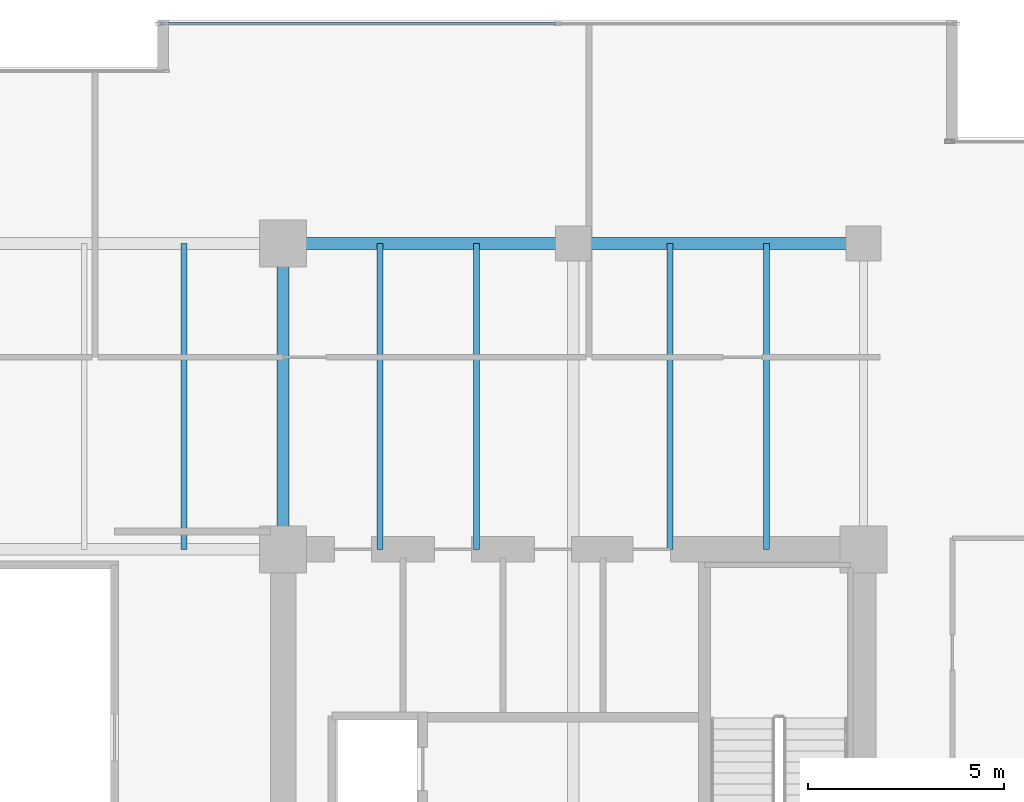
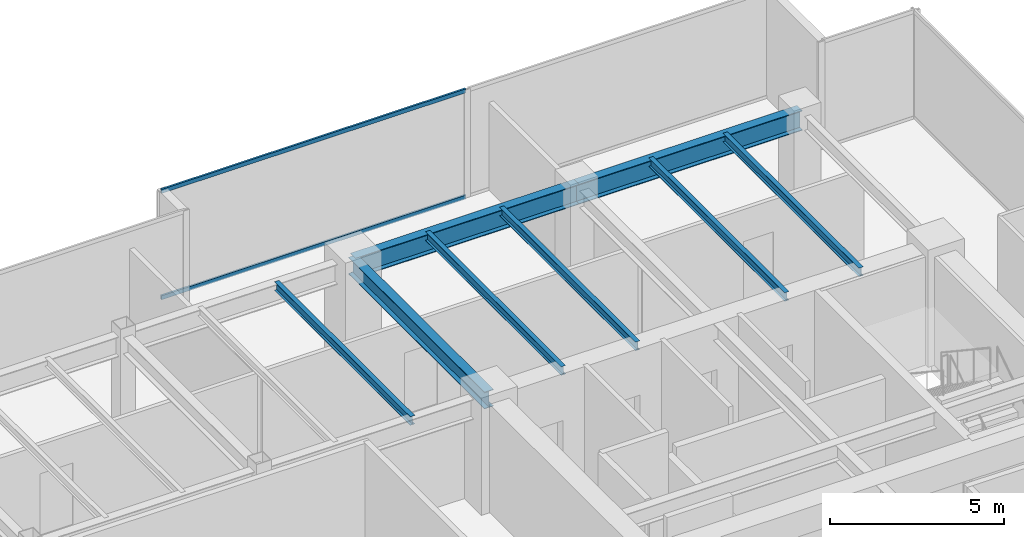
# One storey, part 19 of 31: 8 beams, 2 members, 1 element without a shape of its own.
"""IFC4 building model written with IfcOpenShell, lengths in metres."""

import ifcopenshell
import ifcopenshell.guid

model = None  # the IFC model being written
_history = None  # IfcOwnerHistory: only IFC2X3 demands one
_inside = {}  # id of a spatial element -> (the spatial element, [elements in it])
_under = {}  # id of a project, library or spatial element -> (it, [spatial elements below it])
_declared = {}  # id of a project -> (the project, [libraries it declares])
_typed = {}  # id of a type object -> (the type object, [elements of that type])
_made_of = {}  # id of a material, layer set ... -> (it, [elements and type objects made of it])


def new_model(schema):
    """Start an empty IFC model of exactly this schema.

    Asked for "IFC4X3", IfcOpenShell would pick the latest addendum, in which some entities
    have other attributes; the version numbers below select the first issue.
    IFC2X3 requires an IfcOwnerHistory on every rooted entity: one is made here for all.
    """
    global model, _history
    if schema == "IFC4X3":
        model = ifcopenshell.file(schema_version=(4, 3, 0, 0))
    else:
        model = ifcopenshell.file(schema=schema)
    _inside.clear()
    _under.clear()
    _declared.clear()
    _typed.clear()
    _made_of.clear()
    _history = None
    if model.schema == "IFC2X3":
        org = make("IfcOrganization", Name="unknown")
        user = make(
            "IfcPersonAndOrganization",
            ThePerson=make("IfcPerson", FamilyName="unknown"),
            TheOrganization=org,
        )
        app = make(
            "IfcApplication",
            ApplicationDeveloper=org,
            Version="unknown",
            ApplicationFullName="unknown",
            ApplicationIdentifier="unknown",
        )
        _history = make(
            "IfcOwnerHistory",
            OwningUser=user,
            OwningApplication=app,
            ChangeAction="ADDED",
            CreationDate=0,
        )
    return model


def make(cls, **values):
    """One entity of the class cls with the attributes given. An attribute that is None is left unset."""
    return model.create_entity(
        cls, **{name: value for name, value in values.items() if value is not None}
    )


def rooted(cls, **values):
    """An entity with a GlobalId (a new one), such as an element, a storey or a relation."""
    return make(cls, GlobalId=ifcopenshell.guid.new(), OwnerHistory=_history, **values)


def si_unit(unit_type, name, prefix=None):
    """IfcSIUnit, for example si_unit("LENGTHUNIT", "METRE", prefix="MILLI")."""
    return make("IfcSIUnit", UnitType=unit_type, Prefix=prefix, Name=name)


def assignment(units):
    """IfcUnitAssignment: the units of a project."""
    return None if units is None else make("IfcUnitAssignment", Units=units)


def point(xyz):
    """IfcCartesianPoint."""
    return None if xyz is None else make("IfcCartesianPoint", Coordinates=xyz)


def direction(xyz):
    """IfcDirection."""
    return None if xyz is None else make("IfcDirection", DirectionRatios=xyz)


def frame(location, z_axis=None, x_axis=None):
    """IfcAxis2Placement3D, a coordinate frame: its origin and axes. An axis left out is left unset."""
    return make(
        "IfcAxis2Placement3D",
        Location=point(location),
        Axis=direction(z_axis),
        RefDirection=direction(x_axis),
    )


def frame_2d(location, x_axis=None):
    """IfcAxis2Placement2D, a coordinate frame in the plane: its origin and x axis."""
    return make(
        "IfcAxis2Placement2D", Location=point(location), RefDirection=direction(x_axis)
    )


def origin():
    """The frame at (0, 0, 0) with its axes left unset."""
    return frame((0.0, 0.0, 0.0))


def origin_2d():
    """The frame at (0, 0) in the plane with its x axis left unset."""
    return frame_2d((0.0, 0.0))


def place(relative_to, where):
    """IfcLocalPlacement: puts the frame where relative to a parent placement (None: the world)."""
    return make(
        "IfcLocalPlacement", PlacementRelTo=relative_to, RelativePlacement=where
    )


def context(
    kind, dimensions, precision=None, world=None, true_north=None, identifier=None
):
    """IfcGeometricRepresentationContext, for example the 3D "Model" context."""
    return make(
        "IfcGeometricRepresentationContext",
        ContextIdentifier=identifier,
        ContextType=kind,
        CoordinateSpaceDimension=dimensions,
        Precision=precision,
        WorldCoordinateSystem=world,
        TrueNorth=true_north,
    )


def subcontext(parent, identifier, kind, view, scale=None):
    """IfcGeometricRepresentationSubContext, for example "Body" below "Model"."""
    return make(
        "IfcGeometricRepresentationSubContext",
        ContextIdentifier=identifier,
        ContextType=kind,
        ParentContext=parent,
        TargetScale=scale,
        TargetView=view,
    )


def project(units=None, contexts=None):
    """IfcProject with its units and contexts."""
    return rooted(
        "IfcProject",
        Name="project",
        RepresentationContexts=contexts,
        UnitsInContext=assignment(units),
    )


def spatial(cls, under=None, at=None, **own):
    """A site, building, storey or space (cls), placed at a placement, below another one or the project."""
    s = rooted(cls, ObjectPlacement=at, **own)
    if under is not None:
        _under.setdefault(under.id(), (under, []))[1].append(s)
    return s


def profile(cls, at=None, kind="AREA", **sizes):
    """A parametric profile (cls). Its sizes go by their IFC names, for example OverallWidth=200.0."""
    return make(cls, ProfileType=kind, Position=at, **sizes)


def hollow_rectangle(**sizes):
    """IfcRectangleHollowProfileDef."""
    return profile("IfcRectangleHollowProfileDef", **sizes)


def i_section(**sizes):
    """IfcIShapeProfileDef."""
    return profile("IfcIShapeProfileDef", **sizes)


def extrude(swept, where, along, depth):
    """IfcExtrudedAreaSolid: the profile swept, set in the frame where, extruded along a direction by depth."""
    return make(
        "IfcExtrudedAreaSolid",
        SweptArea=swept,
        Position=where,
        ExtrudedDirection=direction(along),
        Depth=depth,
    )


def shape(context_of_items, identifier, shape_type, items):
    """IfcShapeRepresentation: the items that make up one representation, for example the "Body"."""
    return make(
        "IfcShapeRepresentation",
        ContextOfItems=context_of_items,
        RepresentationIdentifier=identifier,
        RepresentationType=shape_type,
        Items=items,
    )


def source(mapping_origin, context_of_items, identifier, shape_type, items):
    """IfcRepresentationMap: a shape defined once, which mapped items show again and again."""
    return make(
        "IfcRepresentationMap",
        MappingOrigin=mapping_origin,
        MappedRepresentation=shape(context_of_items, identifier, shape_type, items),
    )


def transform(
    local_origin,
    x_axis=None,
    y_axis=None,
    z_axis=None,
    scale=None,
    scale2=None,
    scale3=None,
    uniform=True,
):
    """IfcCartesianTransformationOperator3D, or its non-uniform kind. x_axis, y_axis, z_axis: its Axis1, 2, 3."""
    if uniform:
        return make(
            "IfcCartesianTransformationOperator3D",
            Axis1=direction(x_axis),
            Axis2=direction(y_axis),
            LocalOrigin=point(local_origin),
            Scale=scale,
            Axis3=direction(z_axis),
        )
    return make(
        "IfcCartesianTransformationOperator3DnonUniform",
        Axis1=direction(x_axis),
        Axis2=direction(y_axis),
        LocalOrigin=point(local_origin),
        Scale=scale,
        Axis3=direction(z_axis),
        Scale2=scale2,
        Scale3=scale3,
    )


def mapped(mapping_source, mapping_target):
    """IfcMappedItem: shows the shape of a source again, moved by a transform."""
    return make(
        "IfcMappedItem", MappingSource=mapping_source, MappingTarget=mapping_target
    )


def material(Name=None, Category=None):
    """IfcMaterial."""
    return make("IfcMaterial", Name=Name, Category=Category)


def layer(
    of_material, thickness, ventilated=None, Name=None, Category=None, Priority=None
):
    """IfcMaterialLayer: one layer of a wall or slab, of a material (None: an air gap)."""
    return make(
        "IfcMaterialLayer",
        Material=of_material,
        LayerThickness=thickness,
        IsVentilated=ventilated,
        Name=Name,
        Category=Category,
        Priority=Priority,
    )


def layer_set(layers, Name=None):
    """IfcMaterialLayerSet."""
    return make("IfcMaterialLayerSet", MaterialLayers=layers, LayerSetName=Name)


def material_profile(
    of_material, cross_section, Name=None, Category=None, Priority=None
):
    """IfcMaterialProfile: a cross section and its material."""
    return make(
        "IfcMaterialProfile",
        Name=Name,
        Material=of_material,
        Profile=cross_section,
        Priority=Priority,
        Category=Category,
    )


def profile_set(profiles, Name=None, composite=None):
    """IfcMaterialProfileSet."""
    return make(
        "IfcMaterialProfileSet",
        Name=Name,
        MaterialProfiles=profiles,
        CompositeProfile=composite,
    )


def made_of(thing, what):
    """Note that an element or type object is made of a material, layer set ...; save() writes the relation."""
    if what is not None:
        _made_of.setdefault(what.id(), (what, []))[1].append(thing)
    return thing


def type_object(cls, material=None, **own):
    """A type object (cls), such as IfcWallType, which elements share."""
    return made_of(rooted(cls, **own), material)


def type_shapes(of_type, sources):
    """Give a type object the sources (RepresentationMaps) that its elements show as mapped items."""
    of_type.RepresentationMaps = sources


def element(
    cls,
    number,
    at=None,
    inside=None,
    cuts=None,
    type_object=None,
    material=None,
    context=None,
    identifier="Body",
    shape_type=None,
    held_by="IfcProductDefinitionShape",
    body=None,
    shapes=None,
    **own,
):
    """One element of the class cls, such as IfcWall. Its Tag is "e" and its number.

    at: its placement. inside: the storey or other place that contains it. cuts: it is an
    opening in that element (IfcRelVoidsElement). A single representation is given by context,
    identifier, shape_type and body (its items); several are given by shapes. held_by: the class
    of the entity that holds the representations. save() writes the other relations.
    """
    e = rooted(cls, Tag="e%d" % number, ObjectPlacement=at, **own)
    if body is not None:
        shapes = [shape(context, identifier, shape_type, body)]
    if shapes is not None:
        e.Representation = make(held_by, Representations=shapes)
    if inside is not None:
        _inside.setdefault(inside.id(), (inside, []))[1].append(e)
    if cuts is not None:
        rooted(
            "IfcRelVoidsElement", RelatingBuildingElement=cuts, RelatedOpeningElement=e
        )
    if type_object is not None:
        _typed.setdefault(type_object.id(), (type_object, []))[1].append(e)
    return made_of(e, material)


def aggregate(whole, parts):
    """IfcRelAggregates: a whole, such as a stair, and the parts it consists of."""
    return rooted("IfcRelAggregates", RelatingObject=whole, RelatedObjects=parts)


def save(model, path):
    """Write the relations noted so far, then the file.

    IfcRelAggregates (storeys below a building ...), IfcRelContainedInSpatialStructure (elements
    in a storey), IfcRelDefinesByType, IfcRelAssociatesMaterial and IfcRelDeclares: one each for
    every whole, place, type object, material and project.
    """
    for whole, parts in _under.values():
        aggregate(whole, parts)
    for where, things in _inside.values():
        rooted(
            "IfcRelContainedInSpatialStructure",
            RelatedElements=things,
            RelatingStructure=where,
        )
    for kind, things in _typed.values():
        rooted("IfcRelDefinesByType", RelatedObjects=things, RelatingType=kind)
    for what, things in _made_of.values():
        rooted("IfcRelAssociatesMaterial", RelatedObjects=things, RelatingMaterial=what)
    for by, libraries in _declared.values():
        rooted("IfcRelDeclares", RelatingContext=by, RelatedDefinitions=libraries)
    model.write(path)


model = new_model("IFC4")

# Units and contexts
model_context = context("Model", 3, precision=1e-05, world=origin(), true_north=direction((0.0, 1.0)))
body_context = subcontext(model_context, "Body", "Model", "MODEL_VIEW")
ifc_project = project(units=[si_unit("LENGTHUNIT", "METRE"), si_unit("AREAUNIT", "SQUARE_METRE"), si_unit("VOLUMEUNIT", "CUBIC_METRE"), si_unit("PLANEANGLEUNIT", "RADIAN"), si_unit("MASSUNIT", "GRAM", prefix="KILO")], contexts=[model_context])

# Site, building, storey
site_placement = place(None, origin())
site = spatial("IfcSite", under=ifc_project, at=site_placement, CompositionType="ELEMENT")
building_placement = place(site_placement, origin())
building = spatial("IfcBuilding", under=site, at=building_placement, Name="Haelvirn Gate Laboratories", CompositionType="ELEMENT")
storey_placement = place(building_placement, frame((0.0, 0.0, 154.300048828125)))
storey = spatial("IfcBuildingStorey", under=building, at=storey_placement, Name="L37", CompositionType="ELEMENT", Elevation=154.300048828125)

# Beams
ifc_material_1 = material(Name="Steel SM355", Category="steel")
ifc_material_profile_1 = material_profile(ifc_material_1, i_section(OverallWidth=0.300048828125, OverallDepth=0.699951171875, WebThickness=0.012939453125, FlangeThickness=0.02392578125, at=origin_2d()), Name="H-700x300x13x24")
ifc_profile_set_1 = profile_set([ifc_material_profile_1], Name="Steel SM355")
beam_type_1 = type_object("IfcBeamType", Name="BM-G-700", PredefinedType="BEAM", material=ifc_profile_set_1)
shared_shape_1 = source(origin(), body_context, "Body", "SweptSolid", [
    extrude(i_section(OverallWidth=0.300048828125, OverallDepth=0.699951171875, WebThickness=0.012939453125, FlangeThickness=0.02392578125, at=origin_2d()), origin(), (0.0, 0.0, 1.0), 7.39990234375),
])
type_shapes(beam_type_1, [shared_shape_1])
for number, where, z_axis, x_axis, name in (
    (1, (52.60009765625, 41.60009765625, 3.43994140625), (1.0, 0.0, 0.0), (0.0, 1.0, 0.0), "L37 Primary Girder Y41.6 (52.6-60.0)"),
    (2, (60.0, 41.60009765625, 3.43994140625), (1.0, 0.0, 0.0), (0.0, 1.0, 0.0), "L37 Primary Girder Y41.6 (60.0-67.4)"),
):
    element("IfcBeam", number, at=place(storey_placement, frame(where, z_axis=z_axis, x_axis=x_axis)), inside=storey, type_object=beam_type_1, Name=name, PredefinedType="BEAM", context=body_context, shape_type="MappedRepresentation", body=[
        mapped(shared_shape_1, transform((0.0, 0.0, 0.0), scale=1.0)),
    ])
ifc_material_profile_2 = material_profile(ifc_material_1, i_section(OverallWidth=0.14990234375, OverallDepth=0.300048828125, WebThickness=0.006591796875, FlangeThickness=0.009033203125, at=origin_2d()), Name="H-300x150x6.5x9")
ifc_profile_set_2 = profile_set([ifc_material_profile_2], Name="Steel SM355")
beam_type_2 = type_object("IfcBeamType", Name="BM-J-300", PredefinedType="JOIST", material=ifc_profile_set_2)
shared_shape_2 = source(origin(), body_context, "Body", "SweptSolid", [
    extrude(i_section(OverallWidth=0.14990234375, OverallDepth=0.300048828125, WebThickness=0.006591796875, FlangeThickness=0.009033203125, at=origin_2d()), origin(), (0.0, 0.0, 1.0), 7.800048828125),
])
type_shapes(beam_type_2, [shared_shape_2])
for number, where, z_axis, x_axis, name in (
    (3, (50.070068359375, 33.800048828125, 3.639892578125), (0.0, 1.0, 0.0), (-1.0, 0.0, 0.0), "L37 Composite Lab Joist North X50.07"),
    (4, (55.070068359375, 33.800048828125, 3.639892578125), (0.0, 1.0, 0.0), (-1.0, 0.0, 0.0), "L37 Composite Lab Joist North X55.07"),
    (5, (57.530029296875, 33.800048828125, 3.639892578125), (0.0, 1.0, 0.0), (-1.0, 0.0, 0.0), "L37 Composite Lab Joist North X57.53"),
    (6, (62.469970703125, 33.800048828125, 3.639892578125), (0.0, 1.0, 0.0), (-1.0, 0.0, 0.0), "L37 Composite Lab Joist North X62.47"),
    (7, (64.929931640625, 33.800048828125, 3.639892578125), (0.0, 1.0, 0.0), (-1.0, 0.0, 0.0), "L37 Composite Lab Joist North X64.93"),
):
    element("IfcBeam", number, at=place(storey_placement, frame(where, z_axis=z_axis, x_axis=x_axis)), inside=storey, type_object=beam_type_2, Name=name, PredefinedType="JOIST", context=body_context, shape_type="MappedRepresentation", body=[
        mapped(shared_shape_2, transform((0.0, 0.0, 0.0), scale=1.0)),
    ])
ifc_material_profile_3 = material_profile(ifc_material_1, i_section(OverallWidth=0.300048828125, OverallDepth=0.587890625, WebThickness=0.011962890625, FlangeThickness=0.02001953125, at=origin_2d()), Name="H-588x300x12x20")
ifc_profile_set_3 = profile_set([ifc_material_profile_3], Name="Steel SM355")
beam_type_3 = type_object("IfcBeamType", Name="BM-G-588", PredefinedType="BEAM", material=ifc_profile_set_3)
shared_shape_3 = source(origin(), body_context, "Body", "SweptSolid", [
    extrude(i_section(OverallWidth=0.300048828125, OverallDepth=0.587890625, WebThickness=0.011962890625, FlangeThickness=0.02001953125, at=origin_2d()), origin(), (0.0, 0.0, 1.0), 7.800048828125),
])
type_shapes(beam_type_3, [shared_shape_3])
beam_placement = place(storey_placement, frame((52.60009765625, 33.800048828125, 3.495849609375), z_axis=(0.0, 1.0, 0.0), x_axis=(-1.0, 0.0, 0.0)))
element("IfcBeam", 8, at=beam_placement, inside=storey, type_object=beam_type_3, Name="L37 Frame Girder X52.6 (33.8-41.6)", PredefinedType="BEAM", context=body_context, shape_type="MappedRepresentation", body=[
    mapped(shared_shape_3, transform((0.0, 0.0, 0.0), scale=1.0)),
])

# Curtain wall, members
ifc_material_2 = material(Name="Anodised bronze unitised aluminium & triple low-E glass", Category="aluminium")
ifc_layer = layer(ifc_material_2, 0.179931640625, Name="CW-SYS-3")
ifc_layer_set = layer_set([ifc_layer], Name="Anodised bronze unitised aluminium & triple low-E glass")
curtain_wall_type = type_object("IfcCurtainWallType", Name="CW-SYS-3", PredefinedType="NOTDEFINED", material=ifc_layer_set)
curtain_wall_placement = place(storey_placement, origin())
curtain_wall = element("IfcCurtainWall", 9, at=curtain_wall_placement, inside=storey, type_object=curtain_wall_type, Name="L37 Unitised Curtain Wall CW-L37-P0-E10-1", PredefinedType="NOTDEFINED")
ifc_material_3 = material(Name="Extruded aluminium 6063-T6 (anodised bronze)", Category="aluminium")
ifc_material_profile_4 = material_profile(ifc_material_3, hollow_rectangle(XDim=0.06494140625, YDim=0.139892578125, WallThickness=0.00390625, at=origin_2d()), Name="CWT-140x65x4")
ifc_profile_set_4 = profile_set([ifc_material_profile_4], Name="Extruded aluminium 6063-T6 (anodised bronze)")
member_type = type_object("IfcMemberType", Name="CWT-T140", PredefinedType="USERDEFINED", material=ifc_profile_set_4)
shared_shape_4 = source(origin(), body_context, "Body", "SweptSolid", [
    extrude(hollow_rectangle(XDim=0.06494140625, YDim=0.139892578125, WallThickness=0.00390625, at=origin_2d()), origin(), (0.0, 0.0, 1.0), 10.08740234375),
])
type_shapes(member_type, [shared_shape_4])
member_1_placement = place(storey_placement, frame((49.47509765625, 47.199951171875, 0.032470703125), z_axis=(1.0, 0.0, 0.0), x_axis=(0.0, 1.0, 0.0)))
member_1 = element("IfcMember", 10, at=member_1_placement, type_object=member_type, Name="CW3 transom 1.1", ObjectType="TRANSOM", PredefinedType="USERDEFINED", context=body_context, shape_type="MappedRepresentation", body=[
    mapped(shared_shape_4, transform((0.0, 0.0, 0.0), scale=1.0)),
])
member_2_placement = place(storey_placement, frame((49.47509765625, 47.199951171875, 3.757568359375), z_axis=(1.0, 0.0, 0.0), x_axis=(0.0, 1.0, 0.0)))
member_2 = element("IfcMember", 11, at=member_2_placement, type_object=member_type, Name="CW3 transom 1.2", ObjectType="TRANSOM", PredefinedType="USERDEFINED", context=body_context, shape_type="MappedRepresentation", body=[
    mapped(shared_shape_4, transform((0.0, 0.0, 0.0), scale=1.0)),
])
aggregate(curtain_wall, [member_1, member_2])

save(model, "model.ifc")
